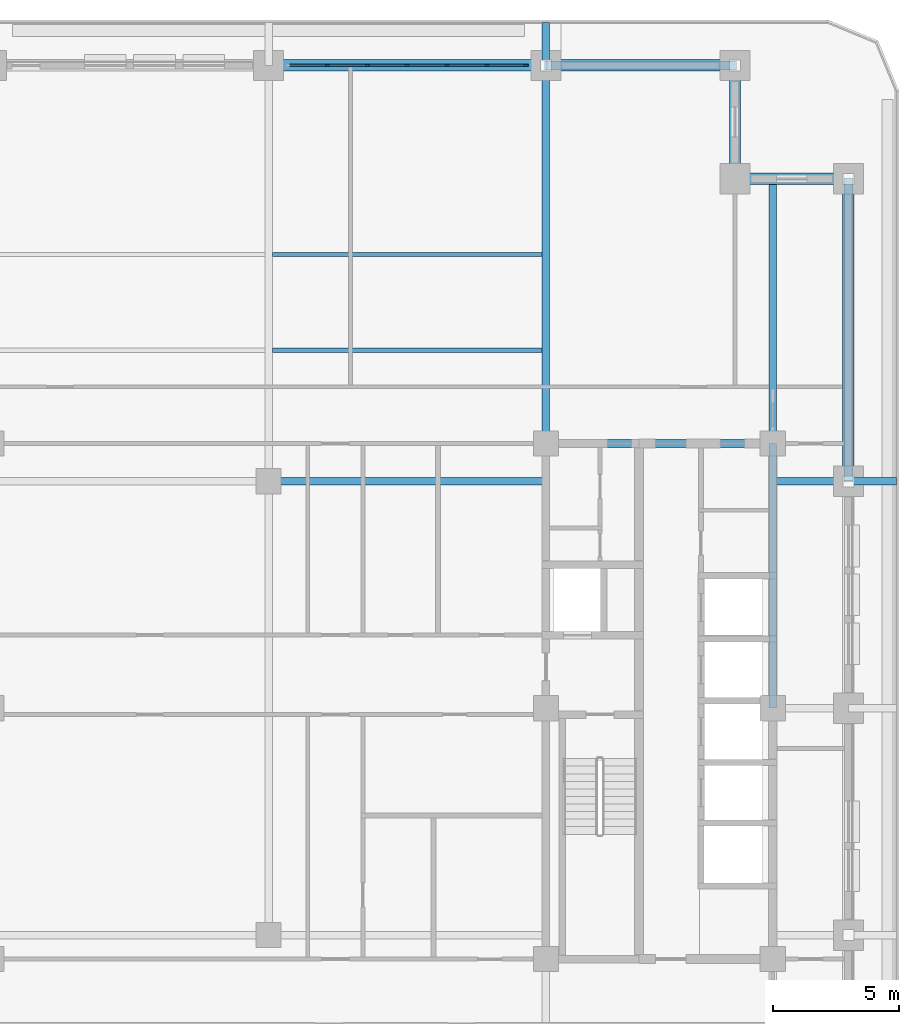
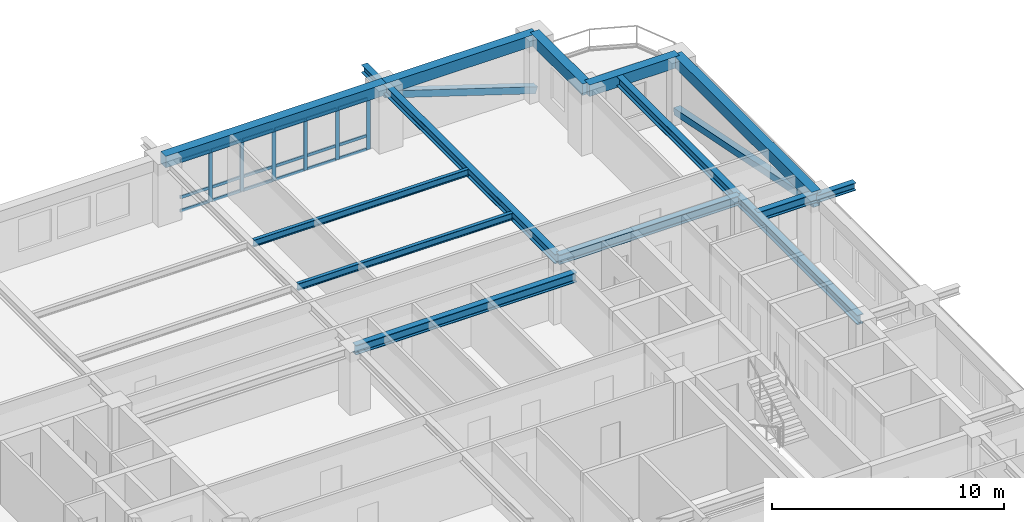
# One storey, part 6 of 20: 26 members, 15 beams, 1 element without a shape of its own.
"""IFC4 building model written with IfcOpenShell, lengths in metres."""

from ifc_helpers import new_model, si_unit, direction, frame, origin, origin_2d, place, context, subcontext, project, spatial, rectangle, hollow_rectangle, i_section, extrude, material, material_profile, profile_set, type_object, element, aggregate, save


model = new_model("IFC4")

# Units and contexts
model_context = context("Model", 3, precision=1e-05, world=origin(), true_north=direction((0.0, 1.0)))
body_context = subcontext(model_context, "Body", "Model", "MODEL_VIEW")
ifc_project = project(units=[si_unit("LENGTHUNIT", "METRE"), si_unit("AREAUNIT", "SQUARE_METRE"), si_unit("VOLUMEUNIT", "CUBIC_METRE"), si_unit("PLANEANGLEUNIT", "RADIAN"), si_unit("MASSUNIT", "GRAM", prefix="KILO")], contexts=[model_context])

# Site, building, storey
site_placement = place(None, origin())
site = spatial("IfcSite", under=ifc_project, at=site_placement, CompositionType="ELEMENT")
building_placement = place(site_placement, origin())
building = spatial("IfcBuilding", under=site, at=building_placement, Name="Zulmaris Gate Convention Tower", CompositionType="ELEMENT")
storey_placement = place(building_placement, frame((0.0, 0.0, 146.33984375)))
storey = spatial("IfcBuildingStorey", under=building, at=storey_placement, Name="L37", CompositionType="ELEMENT", Elevation=146.33984375)

# Beams
ifc_material_1 = material(Name="Steel S355", Category="steel")
ifc_material_profile_1 = material_profile(ifc_material_1, i_section(OverallWidth=0.300048828125, OverallDepth=0.39990234375, WebThickness=0.013427734375, FlangeThickness=0.02392578125, FilletRadius=0.027099609375, at=origin_2d()), Name="HEB 400")
ifc_profile_set_1 = profile_set([ifc_material_profile_1], Name="Steel S355")
beam_type_1 = type_object("IfcBeamType", Name="BM-HEB400", PredefinedType="BEAM", material=ifc_profile_set_1)
beam_1_placement = place(storey_placement, frame((11.0, 25.5, 2.97998046875), z_axis=(0.0, 1.0, 0.0), x_axis=(-1.0, 0.0, 0.0)))
element("IfcBeam", 1, at=beam_1_placement, inside=storey, type_object=beam_type_1, Name="L37 Beam TBRK-L37-N-+11", PredefinedType="BEAM", context=body_context, shape_type="SweptSolid", body=[
    extrude(i_section(OverallWidth=0.300048828125, OverallDepth=0.39990234375, WebThickness=0.013427734375, FlangeThickness=0.02392578125, FilletRadius=0.027099609375, at=origin_2d()), origin(), (0.0, 0.0, 1.0), 1.699951171875),
])
beam_2_placement = place(storey_placement, frame((23.0, 9.0, 2.97998046875), z_axis=(1.0, 0.0, 0.0), x_axis=(0.0, 1.0, 0.0)))
element("IfcBeam", 2, at=beam_2_placement, inside=storey, type_object=beam_type_1, Name="L37 Beam TBRK-L37-E-+9", PredefinedType="BEAM", context=body_context, shape_type="SweptSolid", body=[
    extrude(i_section(OverallWidth=0.300048828125, OverallDepth=0.39990234375, WebThickness=0.013427734375, FlangeThickness=0.02392578125, FilletRadius=0.027099609375, at=origin_2d()), origin(), (0.0, 0.0, 1.0), 1.89990234375),
])
ifc_material_profile_2 = material_profile(ifc_material_1, i_section(OverallWidth=0.300048828125, OverallDepth=0.5, WebThickness=0.014404296875, FlangeThickness=0.028076171875, FilletRadius=0.027099609375, at=origin_2d()), Name="HEB 500")
ifc_profile_set_2 = profile_set([ifc_material_profile_2], Name="Steel S355")
beam_type_2 = type_object("IfcBeamType", Name="BM-HEB500", PredefinedType="BEAM", material=ifc_profile_set_2)
beam_3_placement = place(storey_placement, frame((0.0, 9.0, 3.068115234375), z_axis=(1.0, 0.0, 0.0), x_axis=(0.0, 1.0, 0.0)))
element("IfcBeam", 3, at=beam_3_placement, inside=storey, type_object=beam_type_2, Name="L37 Beam BM-L37-G04", PredefinedType="BEAM", context=body_context, shape_type="SweptSolid", body=[
    extrude(i_section(OverallWidth=0.300048828125, OverallDepth=0.5, WebThickness=0.014404296875, FlangeThickness=0.028076171875, FilletRadius=0.027099609375, at=origin_2d()), origin(), (0.0, 0.0, 1.0), 11.0),
])
beam_4_placement = place(storey_placement, frame((11.0, 10.5, 3.068115234375), z_axis=(0.0, 1.0, 0.0), x_axis=(-1.0, 0.0, 0.0)))
element("IfcBeam", 4, at=beam_4_placement, inside=storey, type_object=beam_type_2, Name="L37 Beam BM-L37-G11", PredefinedType="BEAM", context=body_context, shape_type="SweptSolid", body=[
    extrude(i_section(OverallWidth=0.300048828125, OverallDepth=0.5, WebThickness=0.014404296875, FlangeThickness=0.028076171875, FilletRadius=0.027099609375, at=origin_2d()), origin(), (0.0, 0.0, 1.0), 15.0),
])
beam_5_placement = place(storey_placement, frame((20.0, 10.5, 3.068115234375), z_axis=(0.0, 1.0, 0.0), x_axis=(-1.0, 0.0, 0.0)))
element("IfcBeam", 5, at=beam_5_placement, inside=storey, type_object=beam_type_2, Name="L37 Beam BM-L37-G15", PredefinedType="BEAM", context=body_context, shape_type="SweptSolid", body=[
    extrude(i_section(OverallWidth=0.300048828125, OverallDepth=0.5, WebThickness=0.014404296875, FlangeThickness=0.028076171875, FilletRadius=0.027099609375, at=origin_2d()), origin(), (0.0, 0.0, 1.0), 10.5),
])
beam_6_placement = place(storey_placement, frame((20.0, 9.0, 3.068115234375), z_axis=(1.0, 0.0, 0.0), x_axis=(0.0, 1.0, 0.0)))
element("IfcBeam", 6, at=beam_6_placement, inside=storey, type_object=beam_type_2, Name="L37 Beam BM-L37-G21", PredefinedType="BEAM", context=body_context, shape_type="SweptSolid", body=[
    extrude(i_section(OverallWidth=0.300048828125, OverallDepth=0.5, WebThickness=0.014404296875, FlangeThickness=0.028076171875, FilletRadius=0.027099609375, at=origin_2d()), origin(), (0.0, 0.0, 1.0), 3.0),
])
beam_7_placement = place(storey_placement, frame((11.0, 10.5, 3.068115234375), z_axis=(1.0, 0.0, 0.0), x_axis=(0.0, 1.0, 0.0)))
element("IfcBeam", 7, at=beam_7_placement, inside=storey, type_object=beam_type_2, Name="L37 Beam BM-L37-G25", PredefinedType="BEAM", context=body_context, shape_type="SweptSolid", body=[
    extrude(i_section(OverallWidth=0.300048828125, OverallDepth=0.5, WebThickness=0.014404296875, FlangeThickness=0.028076171875, FilletRadius=0.027099609375, at=origin_2d()), origin(), (0.0, 0.0, 1.0), 9.0),
])
beam_8_placement = place(storey_placement, frame((20.0, 0.0, 3.068115234375), z_axis=(0.0, 1.0, 0.0), x_axis=(-1.0, 0.0, 0.0)))
element("IfcBeam", 8, at=beam_8_placement, inside=storey, type_object=beam_type_2, Name="L37 Beam BM-L37-G29", PredefinedType="BEAM", context=body_context, shape_type="SweptSolid", body=[
    extrude(i_section(OverallWidth=0.300048828125, OverallDepth=0.5, WebThickness=0.014404296875, FlangeThickness=0.028076171875, FilletRadius=0.027099609375, at=origin_2d()), origin(), (0.0, 0.0, 1.0), 10.5),
])
ifc_material_2 = material(Name="Precast concrete C50/60", Category="concrete")
ifc_material_profile_3 = material_profile(ifc_material_2, rectangle(XDim=0.449951171875, YDim=0.60009765625, at=origin_2d()), Name="RC SPANDREL 450x600")
ifc_profile_set_3 = profile_set([ifc_material_profile_3], Name="Precast concrete C50/60")
beam_type_3 = type_object("IfcBeamType", Name="BM-SP450x600", PredefinedType="SPANDREL", material=ifc_profile_set_3)
beam_9_placement = place(storey_placement, frame((23.0, 9.0, 3.02001953125), z_axis=(0.0, 1.0, 0.0), x_axis=(-1.0, 0.0, 0.0)))
element("IfcBeam", 9, at=beam_9_placement, inside=storey, type_object=beam_type_3, Name="L37 Spandrel SP-L37-10", PredefinedType="SPANDREL", context=body_context, shape_type="SweptSolid", body=[
    extrude(rectangle(XDim=0.449951171875, YDim=0.60009765625, at=origin_2d()), origin(), (0.0, 0.0, 1.0), 12.0),
])
for number, where, z_axis, x_axis, name in (
    (10, (23.0, 21.0, 3.02001953125), (-1.0, 0.0, 0.0), (0.0, -1.0, 0.0), "L37 Spandrel SP-L37-11"),
    (11, (18.5, 21.0, 3.02001953125), (0.0, 1.0, 0.0), (-1.0, 0.0, 0.0), "L37 Spandrel SP-L37-12"),
):
    element("IfcBeam", number, at=place(storey_placement, frame(where, z_axis=z_axis, x_axis=x_axis)), inside=storey, type_object=beam_type_3, Name=name, PredefinedType="SPANDREL", context=body_context, shape_type="SweptSolid", body=[
        extrude(rectangle(XDim=0.449951171875, YDim=0.60009765625, at=origin_2d()), origin(), (0.0, 0.0, 1.0), 4.5),
    ])
beam_10_placement = place(storey_placement, frame((18.5, 25.5, 3.02001953125), z_axis=(-1.0, 0.0, 0.0), x_axis=(0.0, -1.0, 0.0)))
element("IfcBeam", 12, at=beam_10_placement, inside=storey, type_object=beam_type_3, Name="L37 Spandrel SP-L37-13", PredefinedType="SPANDREL", context=body_context, shape_type="SweptSolid", body=[
    extrude(rectangle(XDim=0.449951171875, YDim=0.60009765625, at=origin_2d()), origin(), (0.0, 0.0, 1.0), 7.5),
])
beam_11_placement = place(storey_placement, frame((11.0, 25.5, 3.02001953125), z_axis=(-1.0, 0.0, 0.0), x_axis=(0.0, -1.0, 0.0)))
element("IfcBeam", 13, at=beam_11_placement, inside=storey, type_object=beam_type_3, Name="L37 Spandrel SP-L37-14", PredefinedType="SPANDREL", context=body_context, shape_type="SweptSolid", body=[
    extrude(rectangle(XDim=0.449951171875, YDim=0.60009765625, at=origin_2d()), origin(), (0.0, 0.0, 1.0), 11.0),
])

# Members
ifc_material_3 = material(Name="Steel S460", Category="steel")
ifc_material_profile_4 = material_profile(ifc_material_3, hollow_rectangle(XDim=0.35009765625, YDim=0.35009765625, WallThickness=0.01611328125, at=origin_2d()), Name="SHS 350x350x16")
ifc_profile_set_4 = profile_set([ifc_material_profile_4], Name="Steel S460")
member_type_1 = type_object("IfcMemberType", Name="BR-SHS350", PredefinedType="BRACE", material=ifc_profile_set_4)
member_1_placement = place(storey_placement, frame((23.0, 21.0, 0.300048828125), z_axis=(0.0, -0.980582210276, 0.196108462057), x_axis=(1.0, 0.0, 0.0)))
element("IfcMember", 14, at=member_1_placement, inside=storey, type_object=member_type_1, Name="L37 Perimeter Tube Diagonal NE-E", PredefinedType="BRACE", context=body_context, shape_type="SweptSolid", body=[
    extrude(hollow_rectangle(XDim=0.35009765625, YDim=0.35009765625, WallThickness=0.01611328125, at=origin_2d()), origin(), (0.0, 0.0, 1.0), 12.237548828125),
])
member_2_placement = place(storey_placement, frame((18.5, 25.5, 0.300048828125), z_axis=(-0.95242774696, 0.0, 0.304764477624), x_axis=(0.0, -1.0, 0.0)))
element("IfcMember", 15, at=member_2_placement, inside=storey, type_object=member_type_1, Name="L37 Perimeter Tube Diagonal NE-N", PredefinedType="BRACE", context=body_context, shape_type="SweptSolid", body=[
    extrude(hollow_rectangle(XDim=0.35009765625, YDim=0.35009765625, WallThickness=0.01611328125, at=origin_2d()), origin(), (0.0, 0.0, 1.0), 7.87451171875),
])

# Curtain wall, members
ifc_material_4 = material(Name="Anodised Aluminium", Category="aluminium")
curtain_wall_type = type_object("IfcCurtainWallType", Name="CW-06", PredefinedType="NOTDEFINED", material=ifc_material_4)
curtain_wall_placement = place(storey_placement, origin())
curtain_wall = element("IfcCurtainWall", 16, at=curtain_wall_placement, inside=storey, type_object=curtain_wall_type, Name="CW-06 CW06-L37-N-2_0", PredefinedType="NOTDEFINED")
ifc_material_profile_5 = material_profile(ifc_material_4, rectangle(XDim=0.074951171875, YDim=0.179931640625, at=origin_2d()), Name="ALU MULLION 75x180")
ifc_profile_set_5 = profile_set([ifc_material_profile_5], Name="Anodised Aluminium")
member_type_2 = type_object("IfcMemberType", Name="CW-06-MULL", PredefinedType="MULLION", material=ifc_profile_set_5)
member_3_placement = place(storey_placement, frame((10.202392578125, 25.5, 0.0), z_axis=(0.0, 0.0, 1.0), x_axis=(0.0, -1.0, 0.0)))
member_3 = element("IfcMember", 17, at=member_3_placement, type_object=member_type_2, Name="CW-06 mullion 1", PredefinedType="MULLION", context=body_context, shape_type="SweptSolid", body=[
    extrude(rectangle(XDim=0.074951171875, YDim=0.179931640625, at=origin_2d()), origin(), (0.0, 0.0, 1.0), 2.712158203125),
])
member_4_placement = place(storey_placement, frame((8.659912109375, 25.5, 0.0), z_axis=(0.0, 0.0, 1.0), x_axis=(0.0, -1.0, 0.0)))
member_4 = element("IfcMember", 18, at=member_4_placement, type_object=member_type_2, Name="CW-06 mullion 2", PredefinedType="MULLION", context=body_context, shape_type="SweptSolid", body=[
    extrude(rectangle(XDim=0.074951171875, YDim=0.179931640625, at=origin_2d()), origin(), (0.0, 0.0, 1.0), 2.712158203125),
])
member_5_placement = place(storey_placement, frame((7.080078125, 25.5, 0.0), z_axis=(0.0, 0.0, 1.0), x_axis=(0.0, -1.0, 0.0)))
member_5 = element("IfcMember", 19, at=member_5_placement, type_object=member_type_2, Name="CW-06 mullion 3", PredefinedType="MULLION", context=body_context, shape_type="SweptSolid", body=[
    extrude(rectangle(XDim=0.074951171875, YDim=0.179931640625, at=origin_2d()), origin(), (0.0, 0.0, 1.0), 2.712158203125),
])
member_6_placement = place(storey_placement, frame((5.5, 25.5, 0.0), z_axis=(0.0, 0.0, 1.0), x_axis=(0.0, -1.0, 0.0)))
member_6 = element("IfcMember", 20, at=member_6_placement, type_object=member_type_2, Name="CW-06 mullion 4", PredefinedType="MULLION", context=body_context, shape_type="SweptSolid", body=[
    extrude(rectangle(XDim=0.074951171875, YDim=0.179931640625, at=origin_2d()), origin(), (0.0, 0.0, 1.0), 2.712158203125),
])
member_7_placement = place(storey_placement, frame((3.919921875, 25.5, 0.0), z_axis=(0.0, 0.0, 1.0), x_axis=(0.0, -1.0, 0.0)))
member_7 = element("IfcMember", 21, at=member_7_placement, type_object=member_type_2, Name="CW-06 mullion 5", PredefinedType="MULLION", context=body_context, shape_type="SweptSolid", body=[
    extrude(rectangle(XDim=0.074951171875, YDim=0.179931640625, at=origin_2d()), origin(), (0.0, 0.0, 1.0), 2.712158203125),
])
member_8_placement = place(storey_placement, frame((2.340087890625, 25.5, 0.0), z_axis=(0.0, 0.0, 1.0), x_axis=(0.0, -1.0, 0.0)))
member_8 = element("IfcMember", 22, at=member_8_placement, type_object=member_type_2, Name="CW-06 mullion 6", PredefinedType="MULLION", context=body_context, shape_type="SweptSolid", body=[
    extrude(rectangle(XDim=0.074951171875, YDim=0.179931640625, at=origin_2d()), origin(), (0.0, 0.0, 1.0), 2.712158203125),
])
ifc_material_profile_6 = material_profile(ifc_material_4, rectangle(XDim=0.074951171875, YDim=0.14990234375, at=origin_2d()), Name="ALU TRANSOM 75x150")
ifc_profile_set_6 = profile_set([ifc_material_profile_6], Name="Anodised Aluminium")
member_type_3 = type_object("IfcMemberType", Name="CW-06-TRAN", PredefinedType="USERDEFINED", material=ifc_profile_set_6)
member_9_placement = place(storey_placement, frame((10.1650390625, 25.5, 0.037353515625), z_axis=(-1.0, 0.0, 0.0), x_axis=(0.0, -1.0, 0.0)))
member_9 = element("IfcMember", 23, at=member_9_placement, type_object=member_type_3, Name="CW-06 transom 1.1", ObjectType="TRANSOM", PredefinedType="USERDEFINED", context=body_context, shape_type="SweptSolid", body=[
    extrude(rectangle(XDim=0.074951171875, YDim=0.14990234375, at=origin_2d()), origin(), (0.0, 0.0, 1.0), 1.467529296875),
])
member_10_placement = place(storey_placement, frame((10.1650390625, 25.5, 0.75), z_axis=(-1.0, 0.0, 0.0), x_axis=(0.0, -1.0, 0.0)))
member_10 = element("IfcMember", 24, at=member_10_placement, type_object=member_type_3, Name="CW-06 transom 1.2", ObjectType="TRANSOM", PredefinedType="USERDEFINED", context=body_context, shape_type="SweptSolid", body=[
    extrude(rectangle(XDim=0.074951171875, YDim=0.14990234375, at=origin_2d()), origin(), (0.0, 0.0, 1.0), 1.467529296875),
])
member_11_placement = place(storey_placement, frame((10.1650390625, 25.5, 2.674560546875), z_axis=(-1.0, 0.0, 0.0), x_axis=(0.0, -1.0, 0.0)))
member_11 = element("IfcMember", 25, at=member_11_placement, type_object=member_type_3, Name="CW-06 transom 1.3", ObjectType="TRANSOM", PredefinedType="USERDEFINED", context=body_context, shape_type="SweptSolid", body=[
    extrude(rectangle(XDim=0.074951171875, YDim=0.14990234375, at=origin_2d()), origin(), (0.0, 0.0, 1.0), 1.467529296875),
])
member_12_placement = place(storey_placement, frame((8.62255859375, 25.5, 0.037353515625), z_axis=(-1.0, 0.0, 0.0), x_axis=(0.0, -1.0, 0.0)))
member_12 = element("IfcMember", 26, at=member_12_placement, type_object=member_type_3, Name="CW-06 transom 2.1", ObjectType="TRANSOM", PredefinedType="USERDEFINED", context=body_context, shape_type="SweptSolid", body=[
    extrude(rectangle(XDim=0.074951171875, YDim=0.14990234375, at=origin_2d()), origin(), (0.0, 0.0, 1.0), 1.505126953125),
])
member_13_placement = place(storey_placement, frame((8.62255859375, 25.5, 0.75), z_axis=(-1.0, 0.0, 0.0), x_axis=(0.0, -1.0, 0.0)))
member_13 = element("IfcMember", 27, at=member_13_placement, type_object=member_type_3, Name="CW-06 transom 2.2", ObjectType="TRANSOM", PredefinedType="USERDEFINED", context=body_context, shape_type="SweptSolid", body=[
    extrude(rectangle(XDim=0.074951171875, YDim=0.14990234375, at=origin_2d()), origin(), (0.0, 0.0, 1.0), 1.505126953125),
])
member_14_placement = place(storey_placement, frame((8.62255859375, 25.5, 2.674560546875), z_axis=(-1.0, 0.0, 0.0), x_axis=(0.0, -1.0, 0.0)))
member_14 = element("IfcMember", 28, at=member_14_placement, type_object=member_type_3, Name="CW-06 transom 2.3", ObjectType="TRANSOM", PredefinedType="USERDEFINED", context=body_context, shape_type="SweptSolid", body=[
    extrude(rectangle(XDim=0.074951171875, YDim=0.14990234375, at=origin_2d()), origin(), (0.0, 0.0, 1.0), 1.505126953125),
])
member_15_placement = place(storey_placement, frame((7.04248046875, 25.5, 0.037353515625), z_axis=(-1.0, 0.0, 0.0), x_axis=(0.0, -1.0, 0.0)))
member_15 = element("IfcMember", 29, at=member_15_placement, type_object=member_type_3, Name="CW-06 transom 3.1", ObjectType="TRANSOM", PredefinedType="USERDEFINED", context=body_context, shape_type="SweptSolid", body=[
    extrude(rectangle(XDim=0.074951171875, YDim=0.14990234375, at=origin_2d()), origin(), (0.0, 0.0, 1.0), 1.5048828125),
])
member_16_placement = place(storey_placement, frame((7.04248046875, 25.5, 0.75), z_axis=(-1.0, 0.0, 0.0), x_axis=(0.0, -1.0, 0.0)))
member_16 = element("IfcMember", 30, at=member_16_placement, type_object=member_type_3, Name="CW-06 transom 3.2", ObjectType="TRANSOM", PredefinedType="USERDEFINED", context=body_context, shape_type="SweptSolid", body=[
    extrude(rectangle(XDim=0.074951171875, YDim=0.14990234375, at=origin_2d()), origin(), (0.0, 0.0, 1.0), 1.5048828125),
])
member_17_placement = place(storey_placement, frame((7.04248046875, 25.5, 2.674560546875), z_axis=(-1.0, 0.0, 0.0), x_axis=(0.0, -1.0, 0.0)))
member_17 = element("IfcMember", 31, at=member_17_placement, type_object=member_type_3, Name="CW-06 transom 3.3", ObjectType="TRANSOM", PredefinedType="USERDEFINED", context=body_context, shape_type="SweptSolid", body=[
    extrude(rectangle(XDim=0.074951171875, YDim=0.14990234375, at=origin_2d()), origin(), (0.0, 0.0, 1.0), 1.5048828125),
])
member_18_placement = place(storey_placement, frame((5.46240234375, 25.5, 0.037353515625), z_axis=(-1.0, 0.0, 0.0), x_axis=(0.0, -1.0, 0.0)))
member_18 = element("IfcMember", 32, at=member_18_placement, type_object=member_type_3, Name="CW-06 transom 4.1", ObjectType="TRANSOM", PredefinedType="USERDEFINED", context=body_context, shape_type="SweptSolid", body=[
    extrude(rectangle(XDim=0.074951171875, YDim=0.14990234375, at=origin_2d()), origin(), (0.0, 0.0, 1.0), 1.5048828125),
])
member_19_placement = place(storey_placement, frame((5.46240234375, 25.5, 0.75), z_axis=(-1.0, 0.0, 0.0), x_axis=(0.0, -1.0, 0.0)))
member_19 = element("IfcMember", 33, at=member_19_placement, type_object=member_type_3, Name="CW-06 transom 4.2", ObjectType="TRANSOM", PredefinedType="USERDEFINED", context=body_context, shape_type="SweptSolid", body=[
    extrude(rectangle(XDim=0.074951171875, YDim=0.14990234375, at=origin_2d()), origin(), (0.0, 0.0, 1.0), 1.5048828125),
])
member_20_placement = place(storey_placement, frame((5.46240234375, 25.5, 2.674560546875), z_axis=(-1.0, 0.0, 0.0), x_axis=(0.0, -1.0, 0.0)))
member_20 = element("IfcMember", 34, at=member_20_placement, type_object=member_type_3, Name="CW-06 transom 4.3", ObjectType="TRANSOM", PredefinedType="USERDEFINED", context=body_context, shape_type="SweptSolid", body=[
    extrude(rectangle(XDim=0.074951171875, YDim=0.14990234375, at=origin_2d()), origin(), (0.0, 0.0, 1.0), 1.5048828125),
])
member_21_placement = place(storey_placement, frame((3.882568359375, 25.5, 0.037353515625), z_axis=(-1.0, 0.0, 0.0), x_axis=(0.0, -1.0, 0.0)))
member_21 = element("IfcMember", 35, at=member_21_placement, type_object=member_type_3, Name="CW-06 transom 5.1", ObjectType="TRANSOM", PredefinedType="USERDEFINED", context=body_context, shape_type="SweptSolid", body=[
    extrude(rectangle(XDim=0.074951171875, YDim=0.14990234375, at=origin_2d()), origin(), (0.0, 0.0, 1.0), 1.505126953125),
])
member_22_placement = place(storey_placement, frame((3.882568359375, 25.5, 0.75), z_axis=(-1.0, 0.0, 0.0), x_axis=(0.0, -1.0, 0.0)))
member_22 = element("IfcMember", 36, at=member_22_placement, type_object=member_type_3, Name="CW-06 transom 5.2", ObjectType="TRANSOM", PredefinedType="USERDEFINED", context=body_context, shape_type="SweptSolid", body=[
    extrude(rectangle(XDim=0.074951171875, YDim=0.14990234375, at=origin_2d()), origin(), (0.0, 0.0, 1.0), 1.505126953125),
])
member_23_placement = place(storey_placement, frame((3.882568359375, 25.5, 2.674560546875), z_axis=(-1.0, 0.0, 0.0), x_axis=(0.0, -1.0, 0.0)))
member_23 = element("IfcMember", 37, at=member_23_placement, type_object=member_type_3, Name="CW-06 transom 5.3", ObjectType="TRANSOM", PredefinedType="USERDEFINED", context=body_context, shape_type="SweptSolid", body=[
    extrude(rectangle(XDim=0.074951171875, YDim=0.14990234375, at=origin_2d()), origin(), (0.0, 0.0, 1.0), 1.505126953125),
])
member_24_placement = place(storey_placement, frame((2.302490234375, 25.5, 0.037353515625), z_axis=(-1.0, 0.0, 0.0), x_axis=(0.0, -1.0, 0.0)))
member_24 = element("IfcMember", 38, at=member_24_placement, type_object=member_type_3, Name="CW-06 transom 6.1", ObjectType="TRANSOM", PredefinedType="USERDEFINED", context=body_context, shape_type="SweptSolid", body=[
    extrude(rectangle(XDim=0.074951171875, YDim=0.14990234375, at=origin_2d()), origin(), (0.0, 0.0, 1.0), 1.467529296875),
])
member_25_placement = place(storey_placement, frame((2.302490234375, 25.5, 0.75), z_axis=(-1.0, 0.0, 0.0), x_axis=(0.0, -1.0, 0.0)))
member_25 = element("IfcMember", 39, at=member_25_placement, type_object=member_type_3, Name="CW-06 transom 6.2", ObjectType="TRANSOM", PredefinedType="USERDEFINED", context=body_context, shape_type="SweptSolid", body=[
    extrude(rectangle(XDim=0.074951171875, YDim=0.14990234375, at=origin_2d()), origin(), (0.0, 0.0, 1.0), 1.467529296875),
])
member_26_placement = place(storey_placement, frame((2.302490234375, 25.5, 2.674560546875), z_axis=(-1.0, 0.0, 0.0), x_axis=(0.0, -1.0, 0.0)))
member_26 = element("IfcMember", 40, at=member_26_placement, type_object=member_type_3, Name="CW-06 transom 6.3", ObjectType="TRANSOM", PredefinedType="USERDEFINED", context=body_context, shape_type="SweptSolid", body=[
    extrude(rectangle(XDim=0.074951171875, YDim=0.14990234375, at=origin_2d()), origin(), (0.0, 0.0, 1.0), 1.467529296875),
])
aggregate(curtain_wall, [member_3, member_4, member_5, member_6, member_7, member_8, member_9, member_10, member_11, member_12, member_13, member_14, member_15, member_16, member_17, member_18, member_19, member_20, member_21, member_22, member_23, member_24, member_25, member_26])

# Beams
ifc_material_profile_7 = material_profile(ifc_material_1, i_section(OverallWidth=0.169921875, OverallDepth=0.360107421875, WebThickness=0.008056640625, FlangeThickness=0.0126953125, FilletRadius=0.01806640625, at=origin_2d()), Name="IPE 360")
ifc_profile_set_7 = profile_set([ifc_material_profile_7], Name="Steel S355")
beam_type_4 = type_object("IfcBeamType", Name="JT-IPE360", PredefinedType="JOIST", material=ifc_profile_set_7)
for number, where, z_axis, x_axis, name in (
    (41, (0.14990234375, 14.199951171875, 3.137939453125), (1.0, 0.0, 0.0), (0.0, 1.0, 0.0), "L37 Joist JT-L37-CE-+14.2"),
    (42, (0.14990234375, 18.0, 3.137939453125), (1.0, 0.0, 0.0), (0.0, 1.0, 0.0), "L37 Joist JT-L37-CE-+18.0"),
):
    element("IfcBeam", number, at=place(storey_placement, frame(where, z_axis=z_axis, x_axis=x_axis)), inside=storey, type_object=beam_type_4, Name=name, PredefinedType="JOIST", context=body_context, shape_type="SweptSolid", body=[
        extrude(i_section(OverallWidth=0.169921875, OverallDepth=0.360107421875, WebThickness=0.008056640625, FlangeThickness=0.0126953125, FilletRadius=0.01806640625, at=origin_2d()), origin(), (0.0, 0.0, 1.0), 10.7001953125),
    ])

save(model, "model.ifc")
